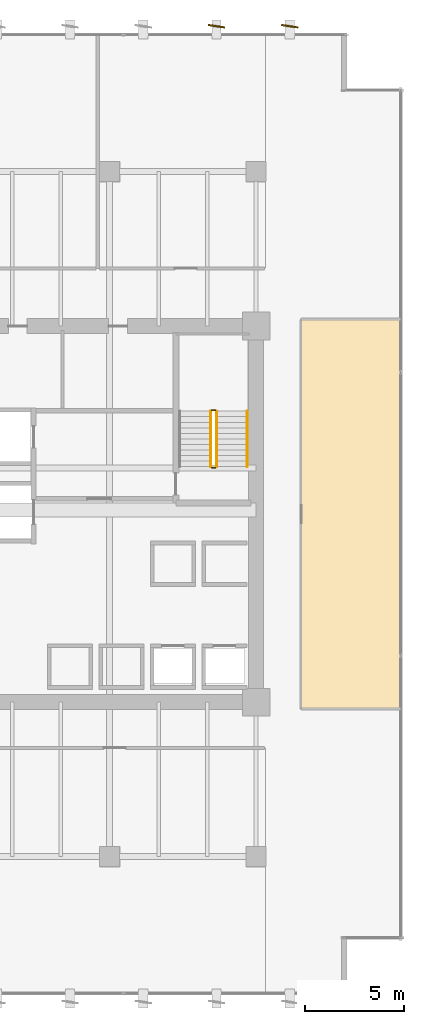
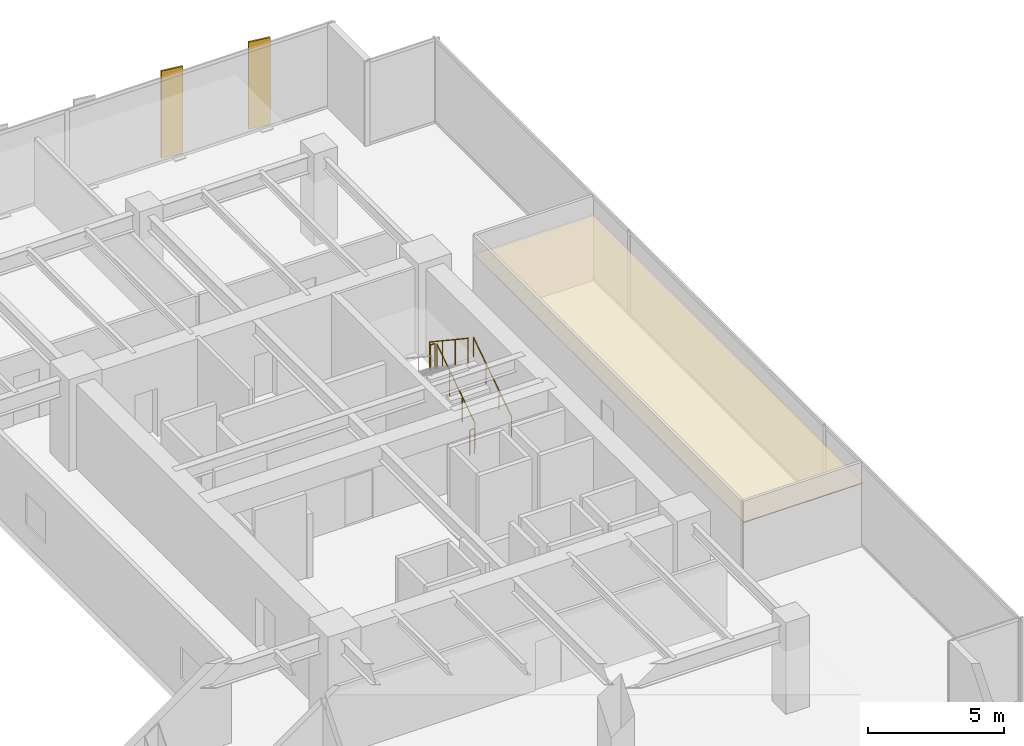
# One storey, part 37 of 37: 5 railings, 2 shading devices, 1 covering.
"""IFC4 building model written with IfcOpenShell, lengths in metres."""

from ifc_helpers import new_model, si_unit, direction, frame, origin, origin_2d, place, context, subcontext, project, spatial, polyline, rectangle, circle, outline, extrude, source, transform, mapped, material, layer, layer_set, material_profile, profile_set, type_object, type_shapes, element, save


model = new_model("IFC4")

# Units and contexts
model_context = context("Model", 3, precision=1e-05, world=origin(), true_north=direction((0.0, 1.0)))
body_context = subcontext(model_context, "Body", "Model", "MODEL_VIEW")
ifc_project = project(units=[si_unit("LENGTHUNIT", "METRE"), si_unit("AREAUNIT", "SQUARE_METRE"), si_unit("VOLUMEUNIT", "CUBIC_METRE"), si_unit("PLANEANGLEUNIT", "RADIAN"), si_unit("MASSUNIT", "GRAM", prefix="KILO")], contexts=[model_context])

# Site, building, storey
site_placement = place(None, origin())
site = spatial("IfcSite", under=ifc_project, at=site_placement, CompositionType="ELEMENT")
building_placement = place(site_placement, origin())
building = spatial("IfcBuilding", under=site, at=building_placement, Name="Haelvirn Gate Laboratories", CompositionType="ELEMENT")
storey_placement = place(building_placement, frame((0.0, 0.0, 74.39990234375)))
storey = spatial("IfcBuildingStorey", under=building, at=storey_placement, Name="L18", CompositionType="ELEMENT", Elevation=74.39990234375)

# Covering
ifc_material_1 = material(Name="Micro-perforated acoustic mineral-fibre laboratory ceiling")
ifc_layer = layer(ifc_material_1, 0.0400390625, Name="COV-CEIL-ACT")
ifc_layer_set = layer_set([ifc_layer], Name="Micro-perforated acoustic mineral-fibre laboratory ceiling")
covering_type = type_object("IfcCoveringType", Name="COV-CEIL-ACT", PredefinedType="CEILING", material=ifc_layer_set)
covering_placement = place(storey_placement, frame((0.0, 0.0, 2.81005859375)))
element("IfcCovering", 1, at=covering_placement, inside=storey, type_object=covering_type, Name="L18 Laboratory Acoustic Ceiling CEIL-SP-L18-ECELL-01", PredefinedType="CEILING", context=body_context, shape_type="SweptSolid", body=[
    extrude(outline(polyline([(69.679931640625, 34.195068359375), (74.75, 34.195068359375), (74.75, 14.405029296875), (69.679931640625, 14.405029296875), (69.679931640625, 34.195068359375)])), origin(), (0.0, 0.0, 1.0), 0.0400390625),
])

# Shading devices
ifc_material_2 = material(Name="Extruded aluminium 6063-T6 (anodised bronze)", Category="aluminium")
ifc_material_profile = material_profile(ifc_material_2, rectangle(XDim=0.074951171875, YDim=0.85009765625, at=origin_2d()), Name="FIN-850x75")
ifc_profile_set = profile_set([ifc_material_profile], Name="Extruded aluminium 6063-T6 (anodised bronze)")
shading_device_type = type_object("IfcShadingDeviceType", Name="SHD-FIN-850", PredefinedType="USERDEFINED", material=ifc_profile_set)
shared_shape_1 = source(origin(), body_context, "Body", "SweptSolid", [
    extrude(rectangle(XDim=0.074951171875, YDim=0.85009765625, at=origin_2d()), origin(), (0.0, 0.0, 1.0), 3.900146484375),
])
type_shapes(shading_device_type, [shared_shape_1])
for number, where, z_axis, x_axis, name in (
    (2, (65.39990234375, 48.945068359375, -0.179931640625), (0.0, 0.0, 1.0), (0.146083028562, 0.989272332963, 0.0), "L18 Fluted Bronze Vertical Fin N08"),
    (3, (69.10009765625, 48.945068359375, -0.179931640625), (0.0, 0.0, 1.0), (0.146083028562, 0.989272332963, 0.0), "L18 Fluted Bronze Vertical Fin N09"),
):
    element("IfcShadingDevice", number, at=place(storey_placement, frame(where, z_axis=z_axis, x_axis=x_axis)), inside=storey, type_object=shading_device_type, Name=name, ObjectType="FIN", PredefinedType="USERDEFINED", context=body_context, shape_type="MappedRepresentation", body=[
        mapped(shared_shape_1, transform((0.0, 0.0, 0.0), scale=1.0)),
    ])

# Railings
ifc_material_3 = material(Name="Galvanised steel SM355 & stainless top rail", Category="steel")
railing_type_1 = type_object("IfcRailingType", Name="RL-GUARD-1150", PredefinedType="GUARDRAIL", material=ifc_material_3)
shared_shape_2 = source(origin(), body_context, "Body", "SweptSolid", [
    extrude(circle(Radius=0.02392578125, at=origin_2d()), frame((0.0, 0.0, 1.1259765625), z_axis=(0.0, 0.832485552168, 0.554046753832), x_axis=(-1.0, 0.0, 0.0)), (0.0, 0.0, 1.0), 3.363525390625),
    extrude(circle(Radius=0.02099609375, at=origin_2d()), origin(), (0.0, 0.0, 1.0), 1.101806640625),
    extrude(circle(Radius=0.02099609375, at=origin_2d()), frame((0.0, 0.933349609375, 0.62109375)), (0.0, 0.0, 1.0), 1.101806640625),
    extrude(circle(Radius=0.02099609375, at=origin_2d()), frame((0.0, 1.86669921875, 1.242431640625)), (0.0, 0.0, 1.0), 1.101806640625),
    extrude(circle(Radius=0.02099609375, at=origin_2d()), frame((0.0, 2.800048828125, 1.863525390625)), (0.0, 0.0, 1.0), 1.101806640625),
])
railing_1_placement = place(storey_placement, frame((65.39990234375, 26.699951171875, 0.1865234375)))
element("IfcRailing", 4, at=railing_1_placement, inside=storey, type_object=railing_type_1, Name="L18 ST2 stair guard 1", PredefinedType="GUARDRAIL", context=body_context, shape_type="MappedRepresentation", body=[
    mapped(shared_shape_2, transform((0.0, 0.0, 0.0), scale=1.0)),
])
ifc_material_4 = material(Name="Brushed stainless steel 316L", Category="steel")
railing_type_2 = type_object("IfcRailingType", Name="RL-HAND-920", PredefinedType="HANDRAIL", material=ifc_material_4)
shared_shape_3 = source(origin(), body_context, "Body", "SweptSolid", [
    extrude(circle(Radius=0.02392578125, at=origin_2d()), frame((0.0, 0.0, 0.8759765625), z_axis=(0.0, 0.832485552168, 0.554046753832), x_axis=(-1.0, 0.0, 0.0)), (0.0, 0.0, 1.0), 3.363525390625),
    extrude(circle(Radius=0.02099609375, at=origin_2d()), origin(), (0.0, 0.0, 1.0), 0.851806640625),
    extrude(circle(Radius=0.02099609375, at=origin_2d()), frame((0.0, 0.933349609375, 0.62109375)), (0.0, 0.0, 1.0), 0.851806640625),
    extrude(circle(Radius=0.02099609375, at=origin_2d()), frame((0.0, 1.86669921875, 1.242431640625)), (0.0, 0.0, 1.0), 0.851806640625),
    extrude(circle(Radius=0.02099609375, at=origin_2d()), frame((0.0, 2.800048828125, 1.863525390625)), (0.0, 0.0, 1.0), 0.851806640625),
])
type_shapes(railing_type_2, [shared_shape_3])
railing_2_placement = place(storey_placement, frame((66.949951171875, 26.699951171875, 0.1865234375)))
element("IfcRailing", 5, at=railing_2_placement, inside=storey, type_object=railing_type_2, Name="L18 ST2 stair handrail 1", PredefinedType="HANDRAIL", context=body_context, shape_type="MappedRepresentation", body=[
    mapped(shared_shape_3, transform((0.0, 0.0, 0.0), scale=1.0)),
])
shared_shape_4 = source(origin(), body_context, "Body", "SweptSolid", [
    extrude(circle(Radius=0.02392578125, at=origin_2d()), frame((0.0, 0.0, 1.1259765625), z_axis=(0.0, -0.832485552168, 0.554046753832), x_axis=(1.0, 0.0, 0.0)), (0.0, 0.0, 1.0), 3.363525390625),
    extrude(circle(Radius=0.02099609375, at=origin_2d()), origin(), (0.0, 0.0, 1.0), 1.101806640625),
    extrude(circle(Radius=0.02099609375, at=origin_2d()), frame((0.0, -0.933349609375, 0.62109375)), (0.0, 0.0, 1.0), 1.101806640625),
    extrude(circle(Radius=0.02099609375, at=origin_2d()), frame((0.0, -1.86669921875, 1.242431640625)), (0.0, 0.0, 1.0), 1.101806640625),
    extrude(circle(Radius=0.02099609375, at=origin_2d()), frame((0.0, -2.800048828125, 1.863525390625)), (0.0, 0.0, 1.0), 1.101806640625),
])
railing_3_placement = place(storey_placement, frame((65.10009765625, 29.5, 2.236572265625)))
element("IfcRailing", 6, at=railing_3_placement, inside=storey, type_object=railing_type_1, Name="L18 ST2 stair guard 3", PredefinedType="GUARDRAIL", context=body_context, shape_type="MappedRepresentation", body=[
    mapped(shared_shape_4, transform((0.0, 0.0, 0.0), scale=1.0)),
])
shared_shape_5 = source(origin(), body_context, "Body", "SweptSolid", [
    extrude(circle(Radius=0.02392578125, at=origin_2d()), frame((0.0, 0.0, 1.1259765625), z_axis=(-1.0, 0.0, 0.0), x_axis=(0.0, -1.0, 0.0)), (0.0, 0.0, 1.0), 0.2001953125),
    extrude(circle(Radius=0.02099609375, at=origin_2d()), origin(), (0.0, 0.0, 1.0), 1.101806640625),
    extrude(circle(Radius=0.02099609375, at=origin_2d()), frame((-0.2001953125, 0.0, 0.0)), (0.0, 0.0, 1.0), 1.101806640625),
])
type_shapes(railing_type_1, [shared_shape_2, shared_shape_4, shared_shape_5])
for number, where, name in (
    (7, (65.35009765625, 29.550048828125, 2.050048828125), "L18 ST2 stair guard 2"),
    (8, (65.35009765625, 26.64990234375, 0.0), "L18 ST2 stair guard 4"),
):
    element("IfcRailing", number, at=place(storey_placement, frame(where)), inside=storey, type_object=railing_type_1, Name=name, PredefinedType="GUARDRAIL", context=body_context, shape_type="MappedRepresentation", body=[
        mapped(shared_shape_5, transform((0.0, 0.0, 0.0), scale=1.0)),
    ])

save(model, "model.ifc")
